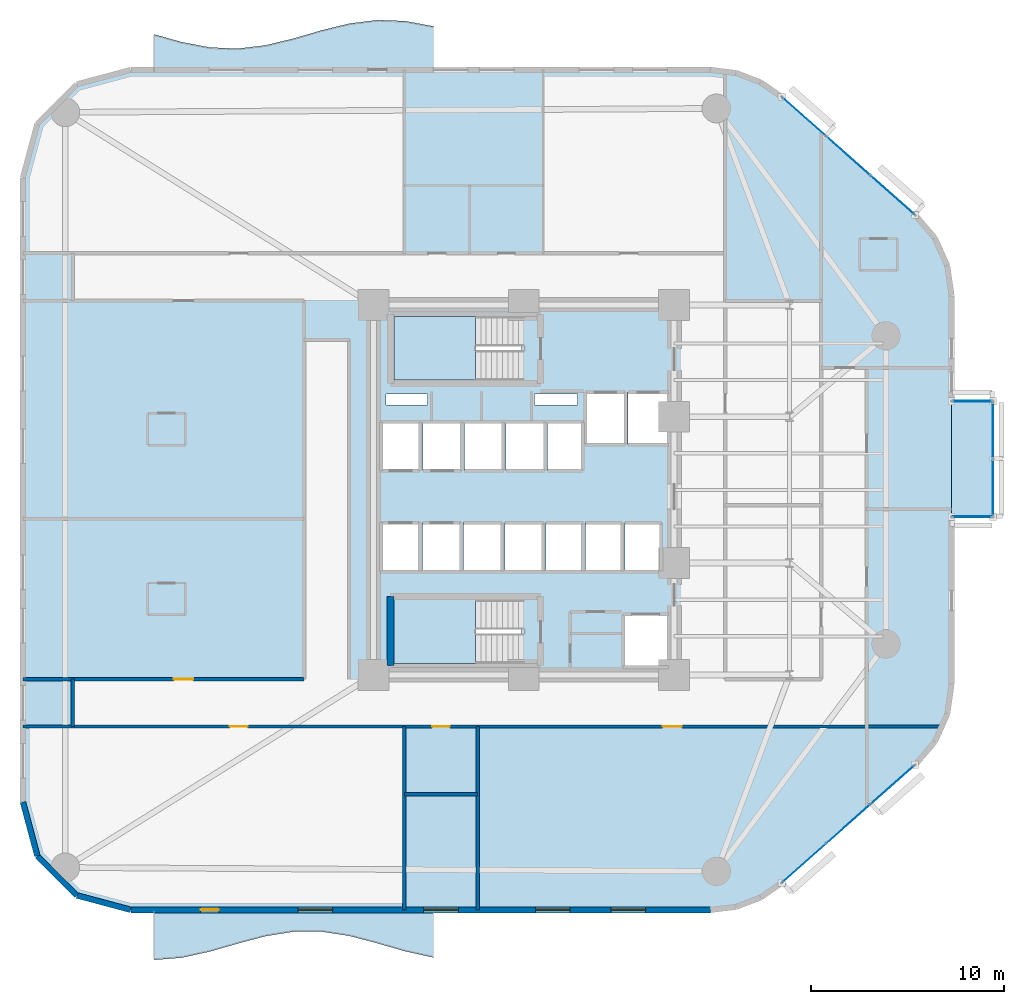
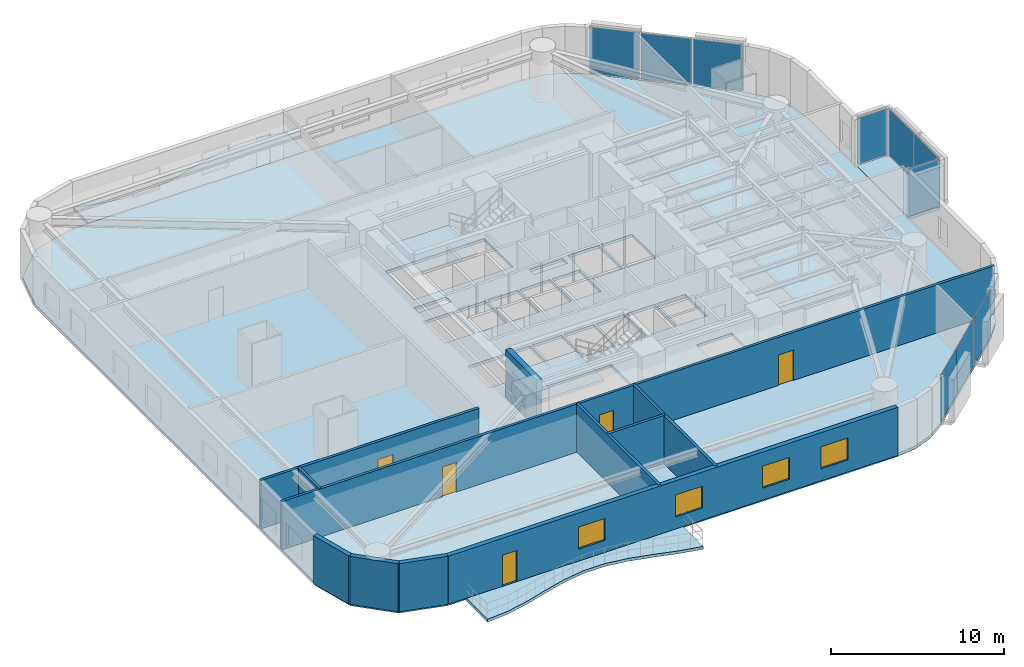
# One storey, part 9 of 16: 11 walls, 10 plates, 6 slabs, 5 doors, 4 windows, 9 openings, 7 elements without a shape of their own.
"""IFC4 building model written with IfcOpenShell, lengths in metres."""

from ifc_helpers import new_model, si_unit, direction, frame, frame_2d, origin, origin_2d, place, context, subcontext, project, spatial, polyline, rectangle, outline, extrude, material, layer, layer_set, type_object, element, fill, aggregate, save


model = new_model("IFC4")

# Units and contexts
model_context = context("Model", 3, precision=1e-05, world=origin(), true_north=direction((0.0, 1.0)))
body_context = subcontext(model_context, "Body", "Model", "MODEL_VIEW")
ifc_project = project(units=[si_unit("LENGTHUNIT", "METRE"), si_unit("AREAUNIT", "SQUARE_METRE"), si_unit("VOLUMEUNIT", "CUBIC_METRE"), si_unit("PLANEANGLEUNIT", "RADIAN"), si_unit("MASSUNIT", "GRAM", prefix="KILO")], contexts=[model_context])

# Site, building, storey
site_placement = place(None, origin())
site = spatial("IfcSite", under=ifc_project, at=site_placement, CompositionType="ELEMENT")
building_placement = place(site_placement, origin())
building = spatial("IfcBuilding", under=site, at=building_placement, Name="An Khanh Terracotta Commons", CompositionType="ELEMENT")
storey_placement = place(building_placement, frame((0.0, 0.0, 68.39990234375)))
storey = spatial("IfcBuildingStorey", under=building, at=storey_placement, Name="L18", CompositionType="ELEMENT", Elevation=68.39990234375)

# Curtain wall, plates
ifc_material_1 = material(Name="Anodised Aluminium 6063-T6", Category="aluminium")
ifc_layer_1 = layer(ifc_material_1, 0.199951171875, Name="Anodised Aluminium 6063-T6")
ifc_layer_set_1 = layer_set([ifc_layer_1], Name="Anodised Aluminium 6063-T6")
curtain_wall_type_1 = type_object("IfcCurtainWallType", Name="CW-SYS-02", PredefinedType="USERDEFINED", material=ifc_layer_set_1)
curtain_wall_1_placement = place(storey_placement, origin())
curtain_wall_1 = element("IfcCurtainWall", 1, at=curtain_wall_1_placement, inside=storey, type_object=curtain_wall_type_1, Name="L18 CW-02 Unitised Curtain Wall CW-L18-08", ObjectType="UNITISED CURTAIN WALL", PredefinedType="USERDEFINED")
ifc_material_2 = material(Name="Double Low-E Solar Control Glazing", Category="glass")
ifc_layer_2 = layer(ifc_material_2, 0.028076171875, Name="Double Low-E Solar Control Glazing")
ifc_layer_set_2 = layer_set([ifc_layer_2], Name="Double Low-E Solar Control Glazing")
plate_type_1 = type_object("IfcPlateType", Name="CWP-IGU-28", PredefinedType="CURTAIN_PANEL", material=ifc_layer_set_2)
plate_1_placement = place(storey_placement, frame((43.95556640625, 4.637939453125, 0.06005859375), z_axis=(0.0, 0.0, 1.0), x_axis=(0.749019284633, 0.662548195415, 0.0)))
plate_1 = element("IfcPlate", 2, at=plate_1_placement, type_object=plate_type_1, Name="CW-02 panel 1.1", PredefinedType="CURTAIN_PANEL", context=body_context, shape_type="SweptSolid", body=[
    extrude(rectangle(XDim=2.97509765625, YDim=0.028076171875, at=origin_2d()), origin(), (0.0, 0.0, 1.0), 3.280029296875),
])
plate_2_placement = place(storey_placement, frame((46.24951171875, 6.6669921875, 0.06005859375), z_axis=(0.0, 0.0, 1.0), x_axis=(0.749019284633, 0.662548195415, 0.0)))
plate_2 = element("IfcPlate", 3, at=plate_2_placement, type_object=plate_type_1, Name="CW-02 panel 2.1", PredefinedType="CURTAIN_PANEL", context=body_context, shape_type="SweptSolid", body=[
    extrude(rectangle(XDim=3.010009765625, YDim=0.028076171875, at=origin_2d()), origin(), (0.0, 0.0, 1.0), 3.280029296875),
])
plate_3_placement = place(storey_placement, frame((48.54345703125, 8.696044921875, 0.06005859375), z_axis=(0.0, 0.0, 1.0), x_axis=(0.749019284633, 0.662548195415, 0.0)))
plate_3 = element("IfcPlate", 4, at=plate_3_placement, type_object=plate_type_1, Name="CW-02 panel 3.1", PredefinedType="CURTAIN_PANEL", context=body_context, shape_type="SweptSolid", body=[
    extrude(rectangle(XDim=2.97509765625, YDim=0.028076171875, at=origin_2d()), origin(), (0.0, 0.0, 1.0), 3.280029296875),
])
aggregate(curtain_wall_1, [plate_1, plate_2, plate_3])

curtain_wall_2_placement = place(storey_placement, origin())
curtain_wall_2 = element("IfcCurtainWall", 5, at=curtain_wall_2_placement, inside=storey, type_object=curtain_wall_type_1, Name="L18 CW-02 Unitised Curtain Wall CW-L18-16", ObjectType="UNITISED CURTAIN WALL", PredefinedType="USERDEFINED")
plate_4_placement = place(storey_placement, frame((48.54345703125, 39.303955078125, 0.06005859375), z_axis=(0.0, 0.0, 1.0), x_axis=(-0.749019284633, 0.662548195415, 0.0)))
plate_4 = element("IfcPlate", 6, at=plate_4_placement, type_object=plate_type_1, Name="CW-02 panel 1.1", PredefinedType="CURTAIN_PANEL", context=body_context, shape_type="SweptSolid", body=[
    extrude(rectangle(XDim=2.97509765625, YDim=0.028076171875, at=origin_2d()), origin(), (0.0, 0.0, 1.0), 3.280029296875),
])
plate_5_placement = place(storey_placement, frame((46.24951171875, 41.3330078125, 0.06005859375), z_axis=(0.0, 0.0, 1.0), x_axis=(-0.749019284633, 0.662548195415, 0.0)))
plate_5 = element("IfcPlate", 7, at=plate_5_placement, type_object=plate_type_1, Name="CW-02 panel 2.1", PredefinedType="CURTAIN_PANEL", context=body_context, shape_type="SweptSolid", body=[
    extrude(rectangle(XDim=3.010009765625, YDim=0.028076171875, at=origin_2d()), origin(), (0.0, 0.0, 1.0), 3.280029296875),
])
plate_6_placement = place(storey_placement, frame((43.95556640625, 43.362060546875, 0.06005859375), z_axis=(0.0, 0.0, 1.0), x_axis=(-0.749019284633, 0.662548195415, 0.0)))
plate_6 = element("IfcPlate", 8, at=plate_6_placement, type_object=plate_type_1, Name="CW-02 panel 3.1", PredefinedType="CURTAIN_PANEL", context=body_context, shape_type="SweptSolid", body=[
    extrude(rectangle(XDim=2.97509765625, YDim=0.028076171875, at=origin_2d()), origin(), (0.0, 0.0, 1.0), 3.280029296875),
])
aggregate(curtain_wall_2, [plate_4, plate_5, plate_6])

ifc_layer_3 = layer(ifc_material_1, 0.239990234375, Name="Anodised Aluminium 6063-T6")
ifc_layer_set_3 = layer_set([ifc_layer_3], Name="Anodised Aluminium 6063-T6")
curtain_wall_type_2 = type_object("IfcCurtainWallType", Name="CW-SYS-04", PredefinedType="USERDEFINED", material=ifc_layer_set_3)
curtain_wall_3_placement = place(storey_placement, origin())
curtain_wall_3 = element("IfcCurtainWall", 9, at=curtain_wall_3_placement, inside=storey, type_object=curtain_wall_type_2, Name="L18 CW-04 Unitised Curtain Wall CW-L18-EBOX-1", ObjectType="UNITISED CURTAIN WALL", PredefinedType="USERDEFINED")
ifc_material_3 = material(Name="Triple-Silver Sky-Lobby Glazing", Category="glass")
ifc_layer_4 = layer(ifc_material_3, 0.0400390625, Name="Triple-Silver Sky-Lobby Glazing")
ifc_layer_set_4 = layer_set([ifc_layer_4], Name="Triple-Silver Sky-Lobby Glazing")
plate_type_2 = type_object("IfcPlateType", Name="CWP-IGU-40", PredefinedType="CURTAIN_PANEL", material=ifc_layer_set_4)
plate_7_placement = place(storey_placement, frame((53.75, 24.1162109375, 0.06005859375), z_axis=(0.0, 0.0, 1.0), x_axis=(0.0, 1.0, 0.0)))
plate_7 = element("IfcPlate", 10, at=plate_7_placement, type_object=plate_type_2, Name="CW-04 panel 1.1", PredefinedType="CURTAIN_PANEL", context=body_context, shape_type="SweptSolid", body=[
    extrude(rectangle(XDim=2.902587890625, YDim=0.0400390625, at=origin_2d()), origin(), (0.0, 0.0, 1.0), 3.280029296875),
])
plate_8_placement = place(storey_placement, frame((53.75, 27.083740234375, 0.06005859375), z_axis=(0.0, 0.0, 1.0), x_axis=(0.0, 1.0, 0.0)))
plate_8 = element("IfcPlate", 11, at=plate_8_placement, type_object=plate_type_2, Name="CW-04 panel 2.1", PredefinedType="CURTAIN_PANEL", context=body_context, shape_type="SweptSolid", body=[
    extrude(rectangle(XDim=2.902587890625, YDim=0.0400390625, at=origin_2d()), origin(), (0.0, 0.0, 1.0), 3.280029296875),
])
aggregate(curtain_wall_3, [plate_7, plate_8])

# Curtain wall, plate
curtain_wall_4_placement = place(storey_placement, origin())
curtain_wall_4 = element("IfcCurtainWall", 12, at=curtain_wall_4_placement, inside=storey, type_object=curtain_wall_type_2, Name="L18 CW-04 Unitised Curtain Wall CW-L18-EBOX-2", ObjectType="UNITISED CURTAIN WALL", PredefinedType="USERDEFINED")
plate_9_placement = place(storey_placement, frame((52.675048828125, 22.60009765625, 0.06005859375), z_axis=(0.0, 0.0, 1.0), x_axis=(1.0, 0.0, 0.0)))
plate_9 = element("IfcPlate", 13, at=plate_9_placement, type_object=plate_type_2, Name="CW-04 panel 1.1", PredefinedType="CURTAIN_PANEL", context=body_context, shape_type="SweptSolid", body=[
    extrude(rectangle(XDim=2.02001953125, YDim=0.0400390625, at=origin_2d()), origin(), (0.0, 0.0, 1.0), 3.280029296875),
])
aggregate(curtain_wall_4, [plate_9])

curtain_wall_5_placement = place(storey_placement, origin())
curtain_wall_5 = element("IfcCurtainWall", 14, at=curtain_wall_5_placement, inside=storey, type_object=curtain_wall_type_2, Name="L18 CW-04 Unitised Curtain Wall CW-L18-EBOX-3", ObjectType="UNITISED CURTAIN WALL", PredefinedType="USERDEFINED")
plate_10_placement = place(storey_placement, frame((52.675048828125, 28.60009765625, 0.06005859375), z_axis=(0.0, 0.0, 1.0), x_axis=(-1.0, 0.0, 0.0)))
plate_10 = element("IfcPlate", 15, at=plate_10_placement, type_object=plate_type_2, Name="CW-04 panel 1.1", PredefinedType="CURTAIN_PANEL", context=body_context, shape_type="SweptSolid", body=[
    extrude(rectangle(XDim=2.02001953125, YDim=0.0400390625, at=origin_2d()), origin(), (0.0, 0.0, 1.0), 3.280029296875),
])
aggregate(curtain_wall_5, [plate_10])

# Slabs
ifc_material_4 = material(Name="Concrete C40/50", Category="concrete")
ifc_layer_5 = layer(ifc_material_4, 0.199951171875, Name="Concrete C40/50")
ifc_layer_set_5 = layer_set([ifc_layer_5], Name="Concrete C40/50")
slab_type_1 = type_object("IfcSlabType", Name="SLAB-BALC-200", PredefinedType="FLOOR", material=ifc_layer_set_5)
slab_1_placement = place(storey_placement, frame((0.0, 0.0, -0.199951171875)))
element("IfcSlab", 16, at=slab_1_placement, inside=storey, type_object=slab_type_1, Name="L18 S Sinusoidal Wave Balcony Slab", PredefinedType="FLOOR", context=body_context, shape_type="SweptSolid", body=[
    extrude(outline(polyline([(10.199951171875, 2.199951171875), (10.199951171875, -0.39990234375), (11.64990234375, -0.281982421875), (13.10009765625, 0.035888671875), (14.550048828125, 0.452880859375), (16.0, 0.8369140625), (17.449951171875, 1.068115234375), (18.89990234375, 1.072021484375), (20.35009765625, 0.847900390625), (21.800048828125, 0.467041015625), (23.25, 0.049072265625), (24.699951171875, -0.27392578125), (24.699951171875, 2.199951171875), (10.199951171875, 2.199951171875)])), origin(), (0.0, 0.0, 1.0), 0.199951171875),
])
slab_2_placement = place(storey_placement, frame((0.0, 0.0, -0.199951171875)))
element("IfcSlab", 17, at=slab_2_placement, inside=storey, type_object=slab_type_1, Name="L18 N Sinusoidal Wave Balcony Slab", PredefinedType="FLOOR", context=body_context, shape_type="SweptSolid", body=[
    extrude(outline(polyline([(24.699951171875, 45.800048828125), (24.699951171875, 48.06689453125), (23.25, 48.3369140625), (21.800048828125, 48.39111328125), (20.35009765625, 48.2109375), (18.89990234375, 47.85400390625), (17.449951171875, 47.431884765625), (16.0, 47.080078125), (14.550048828125, 46.906982421875), (13.10009765625, 46.968994140625), (11.64990234375, 47.24609375), (10.199951171875, 47.64990234375), (10.199951171875, 45.800048828125), (24.699951171875, 45.800048828125)])), origin(), (0.0, 0.0, 1.0), 0.199951171875),
])

# Stair, slab
ifc_material_5 = material(Name="Precast concrete C40/50", Category="concrete")
stair_type = type_object("IfcStairType", Name="STAIR-CORE-1550", PredefinedType="HALF_TURN_STAIR", material=ifc_material_5)
stair_1_placement = place(storey_placement, origin())
stair_1 = element("IfcStair", 18, at=stair_1_placement, inside=storey, type_object=stair_type, Name="L18 Core Smokeproof Exit Stair ST-01", PredefinedType="HALF_TURN_STAIR")
ifc_layer_6 = layer(ifc_material_4, 0.18994140625, Name="Concrete C40/50")
ifc_layer_set_6 = layer_set([ifc_layer_6], Name="Concrete C40/50")
slab_type_2 = type_object("IfcSlabType", Name="SLAB-LANDING-190", PredefinedType="LANDING", material=ifc_layer_set_6)
slab_3_placement = place(storey_placement, frame((0.0, 0.0, 1.60009765625)))
slab_3 = element("IfcSlab", 19, at=slab_3_placement, type_object=slab_type_2, Name="ST-01 landing 1", PredefinedType="LANDING", context=body_context, shape_type="SweptSolid", body=[
    extrude(outline(polyline([(26.889892578125, 33.0), (22.64990234375, 33.0), (22.64990234375, 29.699951171875), (26.889892578125, 29.699951171875), (26.889892578125, 33.0)])), origin(), (0.0, 0.0, 1.0), 0.199951171875),
])
aggregate(stair_1, [slab_3])

stair_2_placement = place(storey_placement, origin())
stair_2 = element("IfcStair", 20, at=stair_2_placement, inside=storey, type_object=stair_type, Name="L18 Core Smokeproof Exit Stair ST-02", PredefinedType="HALF_TURN_STAIR")
slab_4_placement = place(storey_placement, frame((0.0, 0.0, 1.60009765625)))
slab_4 = element("IfcSlab", 21, at=slab_4_placement, type_object=slab_type_2, Name="ST-02 landing 1", PredefinedType="LANDING", context=body_context, shape_type="SweptSolid", body=[
    extrude(outline(polyline([(26.889892578125, 18.300048828125), (22.64990234375, 18.300048828125), (22.64990234375, 15.0), (26.889892578125, 15.0), (26.889892578125, 18.300048828125)])), origin(), (0.0, 0.0, 1.0), 0.199951171875),
])
aggregate(stair_2, [slab_4])

# Slabs
ifc_layer_7 = layer(ifc_material_4, 0.199951171875, Name="Concrete C40/50")
ifc_layer_set_7 = layer_set([ifc_layer_7], Name="Concrete C40/50")
slab_type_3 = type_object("IfcSlabType", Name="SLAB-TYP-200", PredefinedType="FLOOR", material=ifc_layer_set_7)
slab_5_placement = place(storey_placement, frame((0.0, 0.0, -0.199951171875)))
element("IfcSlab", 22, at=slab_5_placement, inside=storey, type_object=slab_type_3, Name="L18 Structural Floor Slab", PredefinedType="FLOOR", context=body_context, shape_type="SweptSolid", body=[
    extrude(outline(polyline([(3.39990234375, 7.800048828125), (4.14990234375, 5.0), (6.199951171875, 2.949951171875), (9.0, 2.199951171875), (39.0791015625, 2.199951171875), (40.4169921875, 2.362060546875), (41.678955078125, 2.840087890625), (42.7890625, 3.60595703125), (49.7099609375, 9.72802734375), (50.73193359375, 10.927978515625), (51.37890625, 12.363037109375), (51.60009765625, 13.923095703125), (51.60009765625, 34.076904296875), (51.37890625, 35.636962890625), (50.73193359375, 37.072021484375), (49.7099609375, 38.27197265625), (42.7890625, 44.39404296875), (41.678955078125, 45.159912109375), (40.4169921875, 45.637939453125), (39.0791015625, 45.800048828125), (9.0, 45.800048828125), (6.199951171875, 45.050048828125), (4.14990234375, 43.0), (3.39990234375, 40.199951171875), (3.39990234375, 7.800048828125)]), holes=[polyline([(22.64990234375, 29.699951171875), (29.27001953125, 29.699951171875), (29.27001953125, 33.0), (22.64990234375, 33.0), (22.64990234375, 29.699951171875)]), polyline([(22.64990234375, 15.0), (29.27001953125, 15.0), (29.27001953125, 18.300048828125), (22.64990234375, 18.300048828125), (22.64990234375, 15.0)]), polyline([(32.60009765625, 26.35009765625), (34.679931640625, 26.35009765625), (34.679931640625, 29.080078125), (32.60009765625, 29.080078125), (32.60009765625, 26.35009765625)]), polyline([(34.820068359375, 26.35009765625), (36.89990234375, 26.35009765625), (36.89990234375, 29.080078125), (34.820068359375, 29.080078125), (34.820068359375, 26.35009765625)]), polyline([(34.550048828125, 14.800048828125), (36.89990234375, 14.800048828125), (36.89990234375, 17.550048828125), (34.550048828125, 17.550048828125), (34.550048828125, 14.800048828125)]), polyline([(22.0, 25.0), (24.02001953125, 25.0), (24.02001953125, 27.5), (22.0, 27.5), (22.0, 25.0)]), polyline([(24.159912109375, 25.0), (26.179931640625, 25.0), (26.179931640625, 27.5), (24.159912109375, 27.5), (24.159912109375, 25.0)]), polyline([(22.0, 19.800048828125), (24.0, 19.800048828125), (24.0, 22.300048828125), (22.0, 22.300048828125), (22.0, 19.800048828125)]), polyline([(24.139892578125, 19.800048828125), (26.139892578125, 19.800048828125), (26.139892578125, 22.300048828125), (24.139892578125, 22.300048828125), (24.139892578125, 19.800048828125)]), polyline([(26.320068359375, 25.0), (28.340087890625, 25.0), (28.340087890625, 27.5), (26.320068359375, 27.5), (26.320068359375, 25.0)]), polyline([(28.47998046875, 25.0), (30.5, 25.0), (30.5, 27.5), (28.47998046875, 27.5), (28.47998046875, 25.0)]), polyline([(26.280029296875, 19.800048828125), (28.280029296875, 19.800048828125), (28.280029296875, 22.300048828125), (26.280029296875, 22.300048828125), (26.280029296875, 19.800048828125)]), polyline([(28.419921875, 19.800048828125), (30.419921875, 19.800048828125), (30.419921875, 22.300048828125), (28.419921875, 22.300048828125), (28.419921875, 19.800048828125)]), polyline([(30.639892578125, 25.0), (32.4599609375, 25.0), (32.4599609375, 27.5), (30.639892578125, 27.5), (30.639892578125, 25.0)]), polyline([(30.56005859375, 19.800048828125), (32.4599609375, 19.800048828125), (32.4599609375, 22.300048828125), (30.56005859375, 22.300048828125), (30.56005859375, 19.800048828125)]), polyline([(32.60009765625, 19.800048828125), (34.5, 19.800048828125), (34.5, 22.300048828125), (32.60009765625, 22.300048828125), (32.60009765625, 19.800048828125)]), polyline([(34.639892578125, 19.800048828125), (36.5400390625, 19.800048828125), (36.5400390625, 22.300048828125), (34.639892578125, 22.300048828125), (34.639892578125, 19.800048828125)]), polyline([(22.25, 28.419921875), (24.39990234375, 28.419921875), (24.39990234375, 28.97998046875), (22.25, 28.97998046875), (22.25, 28.419921875)]), polyline([(29.949951171875, 28.419921875), (32.199951171875, 28.419921875), (32.199951171875, 28.97998046875), (29.949951171875, 28.97998046875), (29.949951171875, 28.419921875)])]), origin(), (0.0, 0.0, 1.0), 0.199951171875),
])
slab_6_placement = place(storey_placement, frame((0.0, 0.0, -0.199951171875)))
element("IfcSlab", 23, at=slab_6_placement, inside=storey, type_object=slab_type_3, Name="L18 Shifted Social Kitchen Box Floor Slab", PredefinedType="FLOOR", context=body_context, shape_type="SweptSolid", body=[
    extrude(outline(polyline([(51.60009765625, 22.60009765625), (53.75, 22.60009765625), (53.75, 28.60009765625), (51.60009765625, 28.60009765625), (51.60009765625, 22.60009765625)])), origin(), (0.0, 0.0, 1.0), 0.199951171875),
])

# Wall
ifc_material_6 = material(Name="Fire-Rated Gypsum Board on Steel Stud", Category="steel")
ifc_layer_8 = layer(ifc_material_6, 0.179931640625, Name="Fire-Rated Gypsum Board on Steel Stud")
ifc_layer_set_8 = layer_set([ifc_layer_8], Name="Fire-Rated Gypsum Board on Steel Stud")
wall_type_1 = type_object("IfcWallType", Name="WALL-CORR-180", PredefinedType="PARTITIONING", material=ifc_layer_set_8)
wall_1_placement = place(storey_placement, frame((23.199951171875, 8.199951171875, 0.0), z_axis=(0.0, 0.0, 1.0), x_axis=(1.0, 0.0, 0.0)))
element("IfcWall", 24, at=wall_1_placement, inside=storey, type_object=wall_type_1, Name="L18 Interior Partition IW-L18-E001", PredefinedType="PARTITIONING", context=body_context, shape_type="SweptSolid", body=[
    extrude(rectangle(XDim=3.800048828125, YDim=0.179931640625, at=frame_2d((1.89990234375, 0.0))), origin(), (0.0, 0.0, 1.0), 3.400146484375),
])

# Wall, openings, doors
wall_2_placement = place(storey_placement, frame((3.39990234375, 11.719970703125, 0.0), z_axis=(0.0, 0.0, 1.0), x_axis=(1.0, 0.0, 0.0)))
wall_2 = element("IfcWall", 25, at=wall_2_placement, inside=storey, type_object=wall_type_1, Name="L18 Interior Partition IW-L18-E002", PredefinedType="PARTITIONING", context=body_context, shape_type="SweptSolid", body=[
    extrude(rectangle(XDim=47.689208984375, YDim=0.179931640625, at=frame_2d((23.8447265625, 0.0))), origin(), (0.0, 0.0, 1.0), 3.400146484375),
])
opening_1_placement = place(wall_2_placement, frame((21.239990234375, 0.0, 0.0)))
opening_1 = element("IfcOpeningElement", 26, at=opening_1_placement, cuts=wall_2, Name="Opening D-RM", PredefinedType="OPENING", context=body_context, shape_type="SweptSolid", body=[
    extrude(rectangle(XDim=0.919921875, YDim=2.10009765625, at=frame_2d((0.4599609375, 1.050048828125))), frame((0.0, 0.099853515625, 0.0), z_axis=(0.0, -1.0, 0.0), x_axis=(1.0, 0.0, 0.0)), (0.0, 0.0, 1.0), 0.199951171875),
])
opening_2_placement = place(wall_2_placement, frame((10.739990234375, 0.0, 0.0)))
opening_2 = element("IfcOpeningElement", 27, at=opening_2_placement, cuts=wall_2, Name="Opening D-RM", PredefinedType="OPENING", context=body_context, shape_type="SweptSolid", body=[
    extrude(rectangle(XDim=0.919921875, YDim=2.10009765625, at=frame_2d((0.4599609375, 1.050048828125))), frame((0.0, 0.099853515625, 0.0), z_axis=(0.0, -1.0, 0.0), x_axis=(1.0, 0.0, 0.0)), (0.0, 0.0, 1.0), 0.199951171875),
])
opening_3_placement = place(wall_2_placement, frame((33.199951171875, 0.0, 0.0)))
opening_3 = element("IfcOpeningElement", 28, at=opening_3_placement, cuts=wall_2, Name="Opening D-UN", PredefinedType="OPENING", context=body_context, shape_type="SweptSolid", body=[
    extrude(rectangle(XDim=1.0, YDim=2.14990234375, at=frame_2d((0.5, 1.074951171875))), frame((0.0, 0.099853515625, 0.0), z_axis=(0.0, -1.0, 0.0), x_axis=(1.0, 0.0, 0.0)), (0.0, 0.0, 1.0), 0.199951171875),
])
ifc_material_7 = material(Name="Engineered Hardwood Timber Leaf", Category="wood")
door_type_1 = type_object("IfcDoorType", Name="DOOR-INT-920", OperationType="NOTDEFINED", PredefinedType="DOOR", material=ifc_material_7)
door_1_placement = place(opening_1_placement, origin())
door_1 = element("IfcDoor", 29, at=door_1_placement, inside=storey, type_object=door_type_1, Name="L18 HKP Housekeeping Linen Store Door", OperationType="SINGLE_SWING_LEFT", OverallHeight=2.10009765625, OverallWidth=0.919921875, PredefinedType="DOOR", context=body_context, shape_type="SweptSolid", body=[
    extrude(rectangle(XDim=0.919921875, YDim=2.10009765625, at=frame_2d((0.4599609375, 1.050048828125))), frame((0.0, 0.02490234375, 0.0), z_axis=(0.0, -1.0, 0.0), x_axis=(1.0, 0.0, 0.0)), (0.0, 0.0, 1.0), 0.050048828125),
])
fill(opening_1, door_1)
door_2_placement = place(opening_2_placement, origin())
door_2 = element("IfcDoor", 30, at=door_2_placement, inside=storey, type_object=door_type_1, Name="L18 SW1 Student Reading Library Door", OperationType="SINGLE_SWING_LEFT", OverallHeight=2.10009765625, OverallWidth=0.919921875, PredefinedType="DOOR", context=body_context, shape_type="SweptSolid", body=[
    extrude(rectangle(XDim=0.919921875, YDim=2.10009765625, at=frame_2d((0.4599609375, 1.050048828125))), frame((0.0, 0.02490234375, 0.0), z_axis=(0.0, -1.0, 0.0), x_axis=(1.0, 0.0, 0.0)), (0.0, 0.0, 1.0), 0.050048828125),
])
fill(opening_2, door_2)
ifc_material_8 = material(Name="Solid-Core Hardwood Acoustic Fire Door", Category="wood")
door_type_2 = type_object("IfcDoorType", Name="DOOR-UNIT-1000", OperationType="NOTDEFINED", PredefinedType="DOOR", material=ifc_material_8)
door_3_placement = place(opening_3_placement, origin())
door_3 = element("IfcDoor", 31, at=door_3_placement, inside=storey, type_object=door_type_2, Name="L18 SWE Yoga Studio Door", OperationType="SINGLE_SWING_RIGHT", OverallHeight=2.14990234375, OverallWidth=1.0, PredefinedType="DOOR", context=body_context, shape_type="SweptSolid", body=[
    extrude(rectangle(XDim=1.0, YDim=2.14990234375, at=frame_2d((0.5, 1.074951171875))), frame((0.0, 0.02490234375, 0.0), z_axis=(0.0, -1.0, 0.0), x_axis=(1.0, 0.0, 0.0)), (0.0, 0.0, 1.0), 0.050048828125),
])
fill(opening_3, door_3)

# Wall, opening, door
wall_3_placement = place(storey_placement, frame((3.39990234375, 14.179931640625, 0.0), z_axis=(0.0, 0.0, 1.0), x_axis=(1.0, 0.0, 0.0)))
wall_3 = element("IfcWall", 32, at=wall_3_placement, inside=storey, type_object=wall_type_1, Name="L18 Interior Partition IW-L18-E003", PredefinedType="PARTITIONING", context=body_context, shape_type="SweptSolid", body=[
    extrude(rectangle(XDim=14.60009765625, YDim=0.179931640625, at=frame_2d((7.300048828125, 0.0))), origin(), (0.0, 0.0, 1.0), 3.400146484375),
])
opening_4_placement = place(wall_3_placement, frame((7.840087890625, 0.0, 0.0)))
opening_4 = element("IfcOpeningElement", 33, at=opening_4_placement, cuts=wall_3, Name="Opening D-UN", PredefinedType="OPENING", context=body_context, shape_type="SweptSolid", body=[
    extrude(rectangle(XDim=1.0, YDim=2.14990234375, at=frame_2d((0.5, 1.074951171875))), frame((0.0, 0.099853515625, 0.0), z_axis=(0.0, -1.0, 0.0), x_axis=(1.0, 0.0, 0.0)), (0.0, 0.0, 1.0), 0.199951171875),
])
door_4_placement = place(opening_4_placement, origin())
door_4 = element("IfcDoor", 34, at=door_4_placement, inside=storey, type_object=door_type_2, Name="L18 WW1 Kitchenette and Studio Apartment Door", OperationType="SINGLE_SWING_LEFT", OverallHeight=2.14990234375, OverallWidth=1.0, PredefinedType="DOOR", context=body_context, shape_type="SweptSolid", body=[
    extrude(rectangle(XDim=1.0, YDim=2.14990234375, at=frame_2d((0.5, 1.074951171875))), frame((0.0, 0.02490234375, 0.0), z_axis=(0.0, -1.0, 0.0), x_axis=(1.0, 0.0, 0.0)), (0.0, 0.0, 1.0), 0.050048828125),
])
fill(opening_4, door_4)

# Walls
wall_4_placement = place(storey_placement, frame((6.0, 11.719970703125, 0.0), z_axis=(0.0, 0.0, 1.0), x_axis=(0.0, 1.0, 0.0)))
element("IfcWall", 35, at=wall_4_placement, inside=storey, type_object=wall_type_1, Name="L18 Interior Partition IW-L18-E014", PredefinedType="PARTITIONING", context=body_context, shape_type="SweptSolid", body=[
    extrude(rectangle(XDim=2.4599609375, YDim=0.179931640625, at=frame_2d((1.22998046875, 0.0))), origin(), (0.0, 0.0, 1.0), 3.400146484375),
])
for number, where, z_axis, x_axis, name in (
    (36, (23.199951171875, 2.199951171875, 0.0), (0.0, 0.0, 1.0), (0.0, 1.0, 0.0), "L18 Interior Partition IW-L18-E018"),
    (37, (27.0, 2.199951171875, 0.0), (0.0, 0.0, 1.0), (0.0, 1.0, 0.0), "L18 Interior Partition IW-L18-E021"),
):
    element("IfcWall", number, at=place(storey_placement, frame(where, z_axis=z_axis, x_axis=x_axis)), inside=storey, type_object=wall_type_1, Name=name, PredefinedType="PARTITIONING", context=body_context, shape_type="SweptSolid", body=[
        extrude(rectangle(XDim=9.52001953125, YDim=0.179931640625, at=frame_2d((4.760009765625, 0.0))), origin(), (0.0, 0.0, 1.0), 3.400146484375),
    ])
ifc_layer_9 = layer(ifc_material_5, 0.300048828125, Name="Precast concrete C40/50")
ifc_layer_set_9 = layer_set([ifc_layer_9], Name="Precast concrete C40/50")
wall_type_2 = type_object("IfcWallType", Name="WALL-EXT-300", PredefinedType="SOLIDWALL", material=ifc_layer_set_9)
wall_5_placement = place(storey_placement, frame((3.39990234375, 7.800048828125, 0.0), z_axis=(0.0, 0.0, 1.0), x_axis=(0.258731875344, -0.96594917914, 0.0)))
element("IfcWall", 38, at=wall_5_placement, inside=storey, type_object=wall_type_2, Name="L18 Insulated Terracotta Exterior Wall 1", PredefinedType="SOLIDWALL", context=body_context, shape_type="SweptSolid", body=[
    extrude(rectangle(XDim=2.898681640625, YDim=0.300048828125, at=frame_2d((1.44921875, 0.0))), origin(), (0.0, 0.0, 1.0), 3.400146484375),
])
wall_6_placement = place(storey_placement, frame((4.14990234375, 5.0, 0.0), z_axis=(0.0, 0.0, 1.0), x_axis=(0.707106781187, -0.707106781187, 0.0)))
element("IfcWall", 39, at=wall_6_placement, inside=storey, type_object=wall_type_2, Name="L18 Insulated Terracotta Exterior Wall 2", PredefinedType="SOLIDWALL", context=body_context, shape_type="SweptSolid", body=[
    extrude(rectangle(XDim=2.899169921875, YDim=0.300048828125, at=frame_2d((1.44970703125, 0.0))), origin(), (0.0, 0.0, 1.0), 3.400146484375),
])
wall_7_placement = place(storey_placement, frame((6.199951171875, 2.949951171875, 0.0), z_axis=(0.0, 0.0, 1.0), x_axis=(0.96594917914, -0.258731875344, 0.0)))
element("IfcWall", 40, at=wall_7_placement, inside=storey, type_object=wall_type_2, Name="L18 Insulated Terracotta Exterior Wall 3", PredefinedType="SOLIDWALL", context=body_context, shape_type="SweptSolid", body=[
    extrude(rectangle(XDim=2.898681640625, YDim=0.300048828125, at=frame_2d((1.44921875, 0.0))), origin(), (0.0, 0.0, 1.0), 3.400146484375),
])

# Wall, openings, door, windows
wall_8_placement = place(storey_placement, frame((9.0, 2.199951171875, 0.0), z_axis=(0.0, 0.0, 1.0), x_axis=(1.0, 0.0, 0.0)))
wall_8 = element("IfcWall", 41, at=wall_8_placement, inside=storey, type_object=wall_type_2, Name="L18 Insulated Terracotta Exterior Wall 4", PredefinedType="SOLIDWALL", context=body_context, shape_type="SweptSolid", body=[
    extrude(rectangle(XDim=30.0791015625, YDim=0.300048828125, at=frame_2d((15.03955078125, 0.0))), origin(), (0.0, 0.0, 1.0), 3.400146484375),
])
opening_5_placement = place(wall_8_placement, frame((3.625, 0.0, 0.0)))
opening_5 = element("IfcOpeningElement", 42, at=opening_5_placement, cuts=wall_8, Name="Opening D-BAL", PredefinedType="OPENING", context=body_context, shape_type="SweptSolid", body=[
    extrude(rectangle(XDim=0.949951171875, YDim=2.199951171875, at=frame_2d((0.47509765625, 1.10009765625))), frame((0.0, 0.159912109375, 0.0), z_axis=(0.0, -1.0, 0.0), x_axis=(1.0, 0.0, 0.0)), (0.0, 0.0, 1.0), 0.320068359375),
])
opening_6_placement = place(wall_8_placement, frame((8.68310546875, 0.0, 0.85009765625)))
opening_6 = element("IfcOpeningElement", 43, at=opening_6_placement, cuts=wall_8, Name="Opening W-01", PredefinedType="OPENING", context=body_context, shape_type="SweptSolid", body=[
    extrude(rectangle(XDim=1.800048828125, YDim=1.550048828125, at=frame_2d((0.89990234375, 0.77490234375))), frame((0.0, 0.159912109375, 0.0), z_axis=(0.0, -1.0, 0.0), x_axis=(1.0, 0.0, 0.0)), (0.0, 0.0, 1.0), 0.320068359375),
])
opening_7_placement = place(wall_8_placement, frame((15.199951171875, 0.0, 0.85009765625)))
opening_7 = element("IfcOpeningElement", 44, at=opening_7_placement, cuts=wall_8, Name="Opening W-01", PredefinedType="OPENING", context=body_context, shape_type="SweptSolid", body=[
    extrude(rectangle(XDim=1.800048828125, YDim=1.550048828125, at=frame_2d((0.89990234375, 0.77490234375))), frame((0.0, 0.159912109375, 0.0), z_axis=(0.0, -1.0, 0.0), x_axis=(1.0, 0.0, 0.0)), (0.0, 0.0, 1.0), 0.320068359375),
])
opening_8_placement = place(wall_8_placement, frame((21.010009765625, 0.0, 0.85009765625)))
opening_8 = element("IfcOpeningElement", 45, at=opening_8_placement, cuts=wall_8, Name="Opening W-01", PredefinedType="OPENING", context=body_context, shape_type="SweptSolid", body=[
    extrude(rectangle(XDim=1.800048828125, YDim=1.550048828125, at=frame_2d((0.89990234375, 0.77490234375))), frame((0.0, 0.159912109375, 0.0), z_axis=(0.0, -1.0, 0.0), x_axis=(1.0, 0.0, 0.0)), (0.0, 0.0, 1.0), 0.320068359375),
])
opening_9_placement = place(wall_8_placement, frame((24.9189453125, 0.0, 0.85009765625)))
opening_9 = element("IfcOpeningElement", 46, at=opening_9_placement, cuts=wall_8, Name="Opening W-01", PredefinedType="OPENING", context=body_context, shape_type="SweptSolid", body=[
    extrude(rectangle(XDim=1.800048828125, YDim=1.550048828125, at=frame_2d((0.89990234375, 0.77490234375))), frame((0.0, 0.159912109375, 0.0), z_axis=(0.0, -1.0, 0.0), x_axis=(1.0, 0.0, 0.0)), (0.0, 0.0, 1.0), 0.320068359375),
])
ifc_material_9 = material(Name="Thermally Broken Aluminium and Low-E Glass", Category="aluminium")
door_type_3 = type_object("IfcDoorType", Name="DOOR-BALC-950", OperationType="NOTDEFINED", PredefinedType="DOOR", material=ifc_material_9)
door_5_placement = place(opening_5_placement, origin())
door_5 = element("IfcDoor", 47, at=door_5_placement, inside=storey, type_object=door_type_3, Name="L18 S Wave Balcony Glazed Door", OperationType="SINGLE_SWING_LEFT", OverallHeight=2.199951171875, OverallWidth=0.949951171875, PredefinedType="DOOR", context=body_context, shape_type="SweptSolid", body=[
    extrude(rectangle(XDim=0.949951171875, YDim=2.199951171875, at=frame_2d((0.47509765625, 1.10009765625))), frame((0.0, 0.02490234375, 0.0), z_axis=(0.0, -1.0, 0.0), x_axis=(1.0, 0.0, 0.0)), (0.0, 0.0, 1.0), 0.050048828125),
])
fill(opening_5, door_5)
window_type = type_object("IfcWindowType", Name="WIN-Z1-1800x1550", PartitioningType="DOUBLE_PANEL_VERTICAL", PredefinedType="WINDOW", material=ifc_material_9)
window_1_placement = place(opening_6_placement, origin())
window_1 = element("IfcWindow", 48, at=window_1_placement, inside=storey, type_object=window_type, Name="L18 Operable Casement Window 4.1", OverallHeight=1.550048828125, OverallWidth=1.800048828125, PartitioningType="DOUBLE_PANEL_VERTICAL", PredefinedType="WINDOW", context=body_context, shape_type="SweptSolid", body=[
    extrude(rectangle(XDim=1.800048828125, YDim=1.550048828125, at=frame_2d((0.89990234375, 0.77490234375))), frame((0.0, 0.030029296875, 0.0), z_axis=(0.0, -1.0, 0.0), x_axis=(1.0, 0.0, 0.0)), (0.0, 0.0, 1.0), 0.06005859375),
])
fill(opening_6, window_1)
window_2_placement = place(opening_7_placement, origin())
window_2 = element("IfcWindow", 49, at=window_2_placement, inside=storey, type_object=window_type, Name="L18 Operable Casement Window 4.2", OverallHeight=1.550048828125, OverallWidth=1.800048828125, PartitioningType="DOUBLE_PANEL_VERTICAL", PredefinedType="WINDOW", context=body_context, shape_type="SweptSolid", body=[
    extrude(rectangle(XDim=1.800048828125, YDim=1.550048828125, at=frame_2d((0.89990234375, 0.77490234375))), frame((0.0, 0.030029296875, 0.0), z_axis=(0.0, -1.0, 0.0), x_axis=(1.0, 0.0, 0.0)), (0.0, 0.0, 1.0), 0.06005859375),
])
fill(opening_7, window_2)
window_3_placement = place(opening_8_placement, origin())
window_3 = element("IfcWindow", 50, at=window_3_placement, inside=storey, type_object=window_type, Name="L18 Operable Casement Window 4.3", OverallHeight=1.550048828125, OverallWidth=1.800048828125, PartitioningType="DOUBLE_PANEL_VERTICAL", PredefinedType="WINDOW", context=body_context, shape_type="SweptSolid", body=[
    extrude(rectangle(XDim=1.800048828125, YDim=1.550048828125, at=frame_2d((0.89990234375, 0.77490234375))), frame((0.0, 0.030029296875, 0.0), z_axis=(0.0, -1.0, 0.0), x_axis=(1.0, 0.0, 0.0)), (0.0, 0.0, 1.0), 0.06005859375),
])
fill(opening_8, window_3)
window_4_placement = place(opening_9_placement, origin())
window_4 = element("IfcWindow", 51, at=window_4_placement, inside=storey, type_object=window_type, Name="L18 Operable Casement Window 4.4", OverallHeight=1.550048828125, OverallWidth=1.800048828125, PartitioningType="DOUBLE_PANEL_VERTICAL", PredefinedType="WINDOW", context=body_context, shape_type="SweptSolid", body=[
    extrude(rectangle(XDim=1.800048828125, YDim=1.550048828125, at=frame_2d((0.89990234375, 0.77490234375))), frame((0.0, 0.030029296875, 0.0), z_axis=(0.0, -1.0, 0.0), x_axis=(1.0, 0.0, 0.0)), (0.0, 0.0, 1.0), 0.06005859375),
])
fill(opening_9, window_4)

# Wall
ifc_material_10 = material(Name="Concrete C50/60", Category="concrete")
ifc_layer_10 = layer(ifc_material_10, 0.35009765625, Name="Concrete C50/60")
ifc_layer_set_10 = layer_set([ifc_layer_10], Name="Concrete C50/60")
wall_type_3 = type_object("IfcWallType", Name="WALL-SHAFT-350", PredefinedType="SOLIDWALL", material=ifc_layer_set_10)
wall_9_placement = place(storey_placement, frame((22.47998046875, 14.889892578125, 0.0), z_axis=(0.0, 0.0, 1.0), x_axis=(0.0, 1.0, 0.0)))
element("IfcWall", 52, at=wall_9_placement, inside=storey, type_object=wall_type_3, Name="L18 Core Wall STW-L18-S-W", PredefinedType="SOLIDWALL", context=body_context, shape_type="SweptSolid", body=[
    extrude(rectangle(XDim=3.580078125, YDim=0.35009765625, at=frame_2d((1.7900390625, 0.0))), origin(), (0.0, 0.0, 1.0), 3.400146484375),
])

save(model, "model.ifc")
